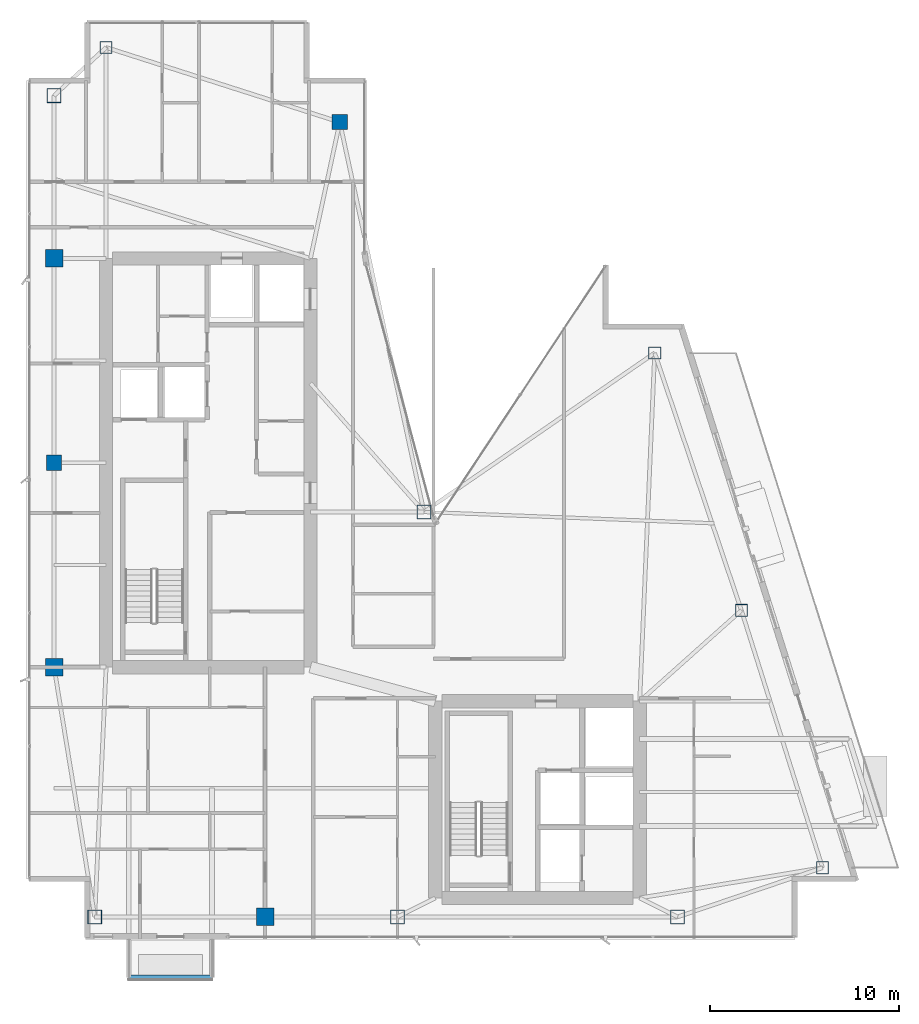
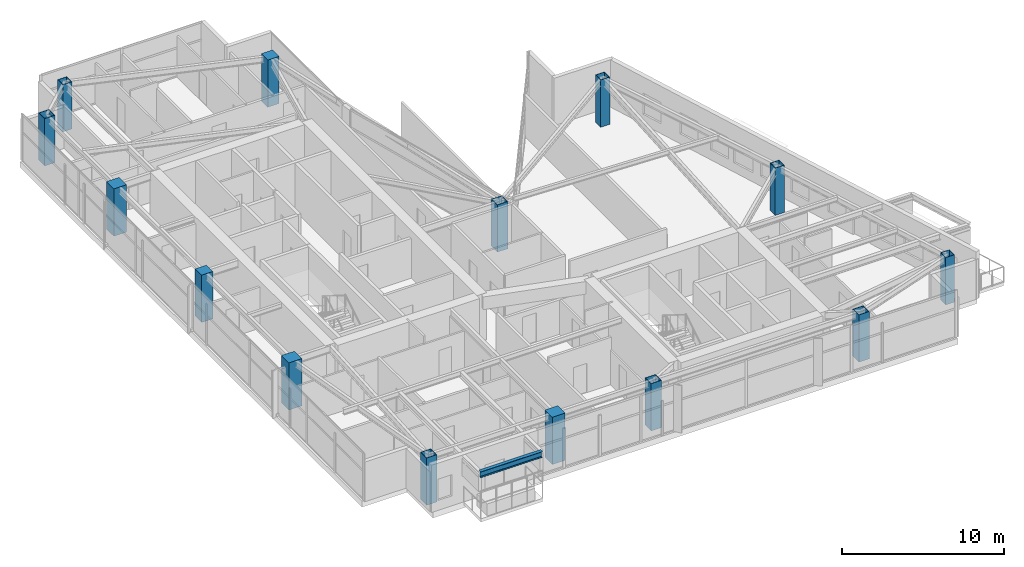
# One storey, part 1 of 28: 14 columns, 1 beam.
"""IFC4 building model written with IfcOpenShell, lengths in metres."""

from ifc_helpers import new_model, si_unit, direction, frame, origin, origin_2d, place, context, subcontext, project, spatial, rectangle, hollow_rectangle, i_section, extrude, material, material_profile, profile_set, type_object, element, save


model = new_model("IFC4")

# Units and contexts
model_context = context("Model", 3, precision=1e-05, world=origin(), true_north=direction((0.0, 1.0)))
body_context = subcontext(model_context, "Body", "Model", "MODEL_VIEW")
ifc_project = project(units=[si_unit("LENGTHUNIT", "METRE"), si_unit("AREAUNIT", "SQUARE_METRE"), si_unit("VOLUMEUNIT", "CUBIC_METRE"), si_unit("PLANEANGLEUNIT", "RADIAN"), si_unit("MASSUNIT", "GRAM", prefix="KILO")], contexts=[model_context])

# Site, building, storey
site_placement = place(None, origin())
site = spatial("IfcSite", under=ifc_project, at=site_placement, CompositionType="ELEMENT")
building_placement = place(site_placement, origin())
building = spatial("IfcBuilding", under=site, at=building_placement, Name="Calvorn Quay Hotel", CompositionType="ELEMENT")
storey_placement = place(building_placement, frame((0.0, 0.0, 263.5)))
storey = spatial("IfcBuildingStorey", under=building, at=storey_placement, Name="L65", CompositionType="ELEMENT", Elevation=263.5)

# Columns
ifc_material_1 = material(Name="Concrete C45", Category="concrete")
ifc_material_profile_1 = material_profile(ifc_material_1, rectangle(XDim=0.800048828125, YDim=0.800048828125, at=origin_2d()), Name="RC800x800")
ifc_profile_set_1 = profile_set([ifc_material_profile_1], Name="Concrete C45")
column_type_1 = type_object("IfcColumnType", Name="COL-RC-800", PredefinedType="COLUMN", material=ifc_profile_set_1)
for number, where, z_axis, x_axis, name in (
    (1, (1.449951171875, 27.60009765625, 0.0), (0.0, 0.0, 1.0), (1.0, 0.0, 0.0), "Column C-W3 (L65)"),
    (2, (16.550048828125, 45.60009765625, 0.0), (0.0, 0.0, 1.0), (1.0, 0.0, 0.0), "Column C-IC1 (L65)"),
):
    element("IfcColumn", number, at=place(storey_placement, frame(where, z_axis=z_axis, x_axis=x_axis)), inside=storey, type_object=column_type_1, Name=name, PredefinedType="COLUMN", context=body_context, shape_type="SweptSolid", body=[
        extrude(rectangle(XDim=0.800048828125, YDim=0.800048828125, at=origin_2d()), origin(), (0.0, 0.0, 1.0), 3.56005859375),
    ])
ifc_material_2 = material(Name="Concrete C45", Category="concrete")
ifc_material_profile_2 = material_profile(ifc_material_2, rectangle(XDim=0.919921875, YDim=0.919921875, at=origin_2d()), Name="RC920x920")
ifc_profile_set_2 = profile_set([ifc_material_profile_2], Name="Concrete C45")
column_type_2 = type_object("IfcColumnType", Name="COL-RC-920", PredefinedType="COLUMN", material=ifc_profile_set_2)
for number, where, z_axis, x_axis, name in (
    (3, (1.449951171875, 16.800048828125, 0.0), (0.0, 0.0, 1.0), (1.0, 0.0, 0.0), "Column C-W2 (L65)"),
    (4, (1.449951171875, 38.39990234375, 0.0), (0.0, 0.0, 1.0), (1.0, 0.0, 0.0), "Column C-W4 (L65)"),
    (5, (12.60009765625, 3.60009765625, 0.0), (0.0, 0.0, 1.0), (1.0, 0.0, 0.0), "Column C-S1 (L65)"),
):
    element("IfcColumn", number, at=place(storey_placement, frame(where, z_axis=z_axis, x_axis=x_axis)), inside=storey, type_object=column_type_2, Name=name, PredefinedType="COLUMN", context=body_context, shape_type="SweptSolid", body=[
        extrude(rectangle(XDim=0.919921875, YDim=0.919921875, at=origin_2d()), origin(), (0.0, 0.0, 1.0), 3.56005859375),
    ])
ifc_material_3 = material(Name="Steel Q390GJC", Category="steel")
ifc_material_profile_3 = material_profile(ifc_material_3, hollow_rectangle(XDim=0.75, YDim=0.75, WallThickness=0.031982421875, at=origin_2d()), Name="BOX750x750x32")
ifc_profile_set_3 = profile_set([ifc_material_profile_3], Name="Steel Q390GJC")
column_type_3 = type_object("IfcColumnType", Name="COL-STL-Z3", PredefinedType="COLUMN", material=ifc_profile_set_3)
for number, where, z_axis, x_axis, name in (
    (6, (3.60009765625, 3.60009765625, 0.0), (0.0, 0.0, 1.0), (1.0, 0.0, 0.0), "Column C-W1 (L65)"),
    (7, (1.449951171875, 47.0, 0.0), (0.0, 0.0, 1.0), (1.0, 0.0, 0.0), "Column C-W5 (L65)"),
    (8, (21.0, 25.0, 0.0), (0.0, 0.0, 1.0), (1.0, 0.0, 0.0), "Column C-IC2 (L65)"),
    (9, (19.60009765625, 3.60009765625, 0.0), (0.0, 0.0, 1.0), (1.0, 0.0, 0.0), "Column C-S2 (L65)"),
    (10, (34.39990234375, 3.60009765625, 0.0), (0.0, 0.0, 1.0), (1.0, 0.0, 0.0), "Column C-S3 (L65)"),
):
    element("IfcColumn", number, at=place(storey_placement, frame(where, z_axis=z_axis, x_axis=x_axis)), inside=storey, type_object=column_type_3, Name=name, PredefinedType="COLUMN", context=body_context, shape_type="SweptSolid", body=[
        extrude(hollow_rectangle(XDim=0.75, YDim=0.75, WallThickness=0.031982421875, at=origin_2d()), origin(), (0.0, 0.0, 1.0), 3.56005859375),
    ])
ifc_material_4 = material(Name="Steel Q355B", Category="steel")
ifc_material_profile_4 = material_profile(ifc_material_4, hollow_rectangle(XDim=0.64990234375, YDim=0.64990234375, WallThickness=0.028076171875, at=origin_2d()), Name="BOX650x650x28")
ifc_profile_set_4 = profile_set([ifc_material_profile_4], Name="Steel Q355B")
column_type_4 = type_object("IfcColumnType", Name="COL-STL-Z4", PredefinedType="COLUMN", material=ifc_profile_set_4)
for number, where, z_axis, x_axis, name in (
    (11, (4.199951171875, 49.550048828125, 0.0), (0.0, 0.0, 1.0), (1.0, 0.0, 0.0), "Column C-NW1 (L65)"),
    (12, (42.06103515625, 6.199951171875, 0.0), (0.0, 0.0, 1.0), (1.0, 0.0, 0.0), "Column C-ET1 (L65)"),
    (13, (37.77587890625, 19.800048828125, 0.0), (0.0, 0.0, 1.0), (1.0, 0.0, 0.0), "Column C-ET2 (L65)"),
    (14, (33.19091796875, 33.39990234375, 0.0), (0.0, 0.0, 1.0), (1.0, 0.0, 0.0), "Column C-ET3 (L65)"),
):
    element("IfcColumn", number, at=place(storey_placement, frame(where, z_axis=z_axis, x_axis=x_axis)), inside=storey, type_object=column_type_4, Name=name, PredefinedType="COLUMN", context=body_context, shape_type="SweptSolid", body=[
        extrude(hollow_rectangle(XDim=0.64990234375, YDim=0.64990234375, WallThickness=0.028076171875, at=origin_2d()), origin(), (0.0, 0.0, 1.0), 3.56005859375),
    ])

# Beam
ifc_material_5 = material(Name="Steel Q355B", Category="steel")
ifc_material_profile_5 = material_profile(ifc_material_5, i_section(OverallWidth=0.25, OverallDepth=0.449951171875, WebThickness=0.011962890625, FlangeThickness=0.01611328125, FilletRadius=0.01611328125, at=origin_2d()), Name="HN450x250x12x16")
ifc_profile_set_5 = profile_set([ifc_material_profile_5], Name="Steel Q355B")
beam_type = type_object("IfcBeamType", Name="BM-CANT-BALC", PredefinedType="BEAM", material=ifc_profile_set_5)
beam_placement = place(storey_placement, frame((5.39990234375, 0.409912109375, 3.31494140625), z_axis=(1.0, 0.0, 0.0), x_axis=(0.0, 1.0, 0.0)))
element("IfcBeam", 15, at=beam_placement, inside=storey, type_object=beam_type, Name="Beam BCBO-L66-2", PredefinedType="BEAM", context=body_context, shape_type="SweptSolid", body=[
    extrude(i_section(OverallWidth=0.25, OverallDepth=0.449951171875, WebThickness=0.011962890625, FlangeThickness=0.01611328125, FilletRadius=0.01611328125, at=origin_2d()), origin(), (0.0, 0.0, 1.0), 4.400146484375),
])

save(model, "model.ifc")
